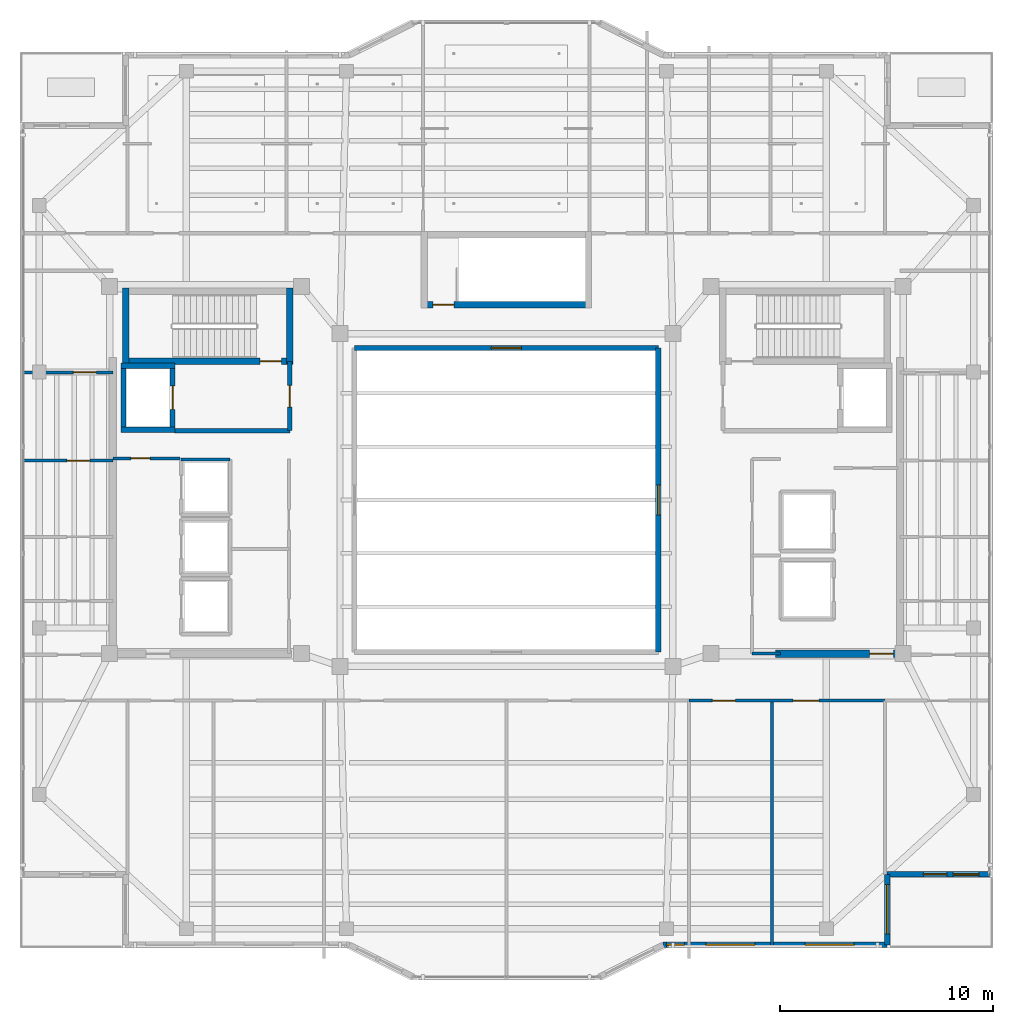
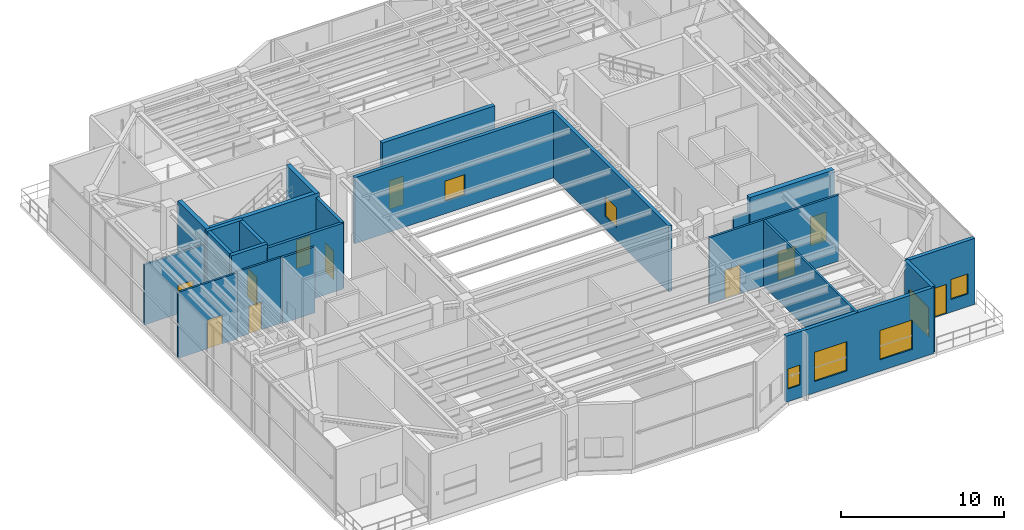
# One storey, part 15 of 23: 23 walls, 11 doors, 7 windows, 18 openings.
"""IFC4 building model written with IfcOpenShell, lengths in metres."""

from ifc_helpers import new_model, si_unit, direction, frame, frame_2d, origin, place, context, subcontext, project, spatial, rectangle, extrude, material, layer, layer_set, type_object, element, fill, save


model = new_model("IFC4")

# Units and contexts
model_context = context("Model", 3, precision=1e-05, world=origin(), true_north=direction((0.0, 1.0)))
body_context = subcontext(model_context, "Body", "Model", "MODEL_VIEW")
ifc_project = project(units=[si_unit("LENGTHUNIT", "METRE"), si_unit("AREAUNIT", "SQUARE_METRE"), si_unit("VOLUMEUNIT", "CUBIC_METRE"), si_unit("PLANEANGLEUNIT", "RADIAN"), si_unit("MASSUNIT", "GRAM", prefix="KILO")], contexts=[model_context])

# Site, building, storey
site_placement = place(None, origin())
site = spatial("IfcSite", under=ifc_project, at=site_placement, CompositionType="ELEMENT")
building_placement = place(site_placement, origin())
building = spatial("IfcBuilding", under=site, at=building_placement, Name="Tarnavaz Court Tower", CompositionType="ELEMENT")
storey_placement = place(building_placement, frame((0.0, 0.0, 276.300048828125)))
storey = spatial("IfcBuildingStorey", under=building, at=storey_placement, Name="L75", CompositionType="ELEMENT", Elevation=276.300048828125)

# Wall
ifc_material_1 = material(Name="Concrete C50/60", Category="concrete")
ifc_layer_1 = layer(ifc_material_1, 0.25)
ifc_layer_set_1 = layer_set([ifc_layer_1], Name="Concrete C50/60")
wall_type_1 = type_object("IfcWallType", Name="WL-CORE-250-C50", PredefinedType="SHEAR", material=ifc_layer_set_1)
wall_1_placement = place(storey_placement, frame((-17.949951171875, 3.175048828125, 0.0), z_axis=(0.0, 0.0, 1.0), x_axis=(0.0, 1.0, 0.0)))
element("IfcWall", 1, at=wall_1_placement, inside=storey, type_object=wall_type_1, Name="L75 Lift FL-W1 Shaft Wall 017", PredefinedType="SHEAR", context=body_context, shape_type="SweptSolid", body=[
    extrude(rectangle(XDim=3.25, YDim=0.25, at=frame_2d((1.625, 0.0))), origin(), (0.0, 0.0, 1.0), 5.25),
])

# Wall, opening, door
wall_2_placement = place(storey_placement, frame((-15.64990234375, 3.175048828125, 0.0), z_axis=(0.0, 0.0, 1.0), x_axis=(0.0, 1.0, 0.0)))
wall_2 = element("IfcWall", 2, at=wall_2_placement, inside=storey, type_object=wall_type_1, Name="L75 Lift FL-W1 Shaft Wall 018", PredefinedType="SHEAR", context=body_context, shape_type="SweptSolid", body=[
    extrude(rectangle(XDim=3.25, YDim=0.25, at=frame_2d((1.625, 0.0))), origin(), (0.0, 0.0, 1.0), 5.25),
])
opening_1_placement = place(wall_2_placement, frame((1.074951171875, 0.0, 0.0)))
opening_1 = element("IfcOpeningElement", 3, at=opening_1_placement, cuts=wall_2, Name="Opening LD1", PredefinedType="OPENING", context=body_context, shape_type="SweptSolid", body=[
    extrude(rectangle(XDim=1.10009765625, YDim=2.14990234375, at=frame_2d((0.550048828125, 1.074951171875))), frame((0.0, 0.135009765625, 0.0), z_axis=(0.0, -1.0, 0.0), x_axis=(1.0, 0.0, 0.0)), (0.0, 0.0, 1.0), 0.27001953125),
])
ifc_material_2 = material(Name="Stainless Steel", Category="steel")
door_type_1 = type_object("IfcDoorType", Name="DR-LD-1100", OperationType="NOTDEFINED", PredefinedType="DOOR", material=ifc_material_2)
door_1_placement = place(opening_1_placement, origin())
door_1 = element("IfcDoor", 4, at=door_1_placement, inside=storey, type_object=door_type_1, Name="L75 Lift Landing Door LD-FL-W1", OperationType="SLIDING_TO_LEFT", OverallHeight=2.14990234375, OverallWidth=1.10009765625, PredefinedType="DOOR", context=body_context, shape_type="SweptSolid", body=[
    extrude(rectangle(XDim=1.10009765625, YDim=2.14990234375, at=frame_2d((0.550048828125, 1.074951171875))), frame((0.0, 0.02490234375, 0.0), z_axis=(0.0, -1.0, 0.0), x_axis=(1.0, 0.0, 0.0)), (0.0, 0.0, 1.0), 0.050048828125),
])
fill(opening_1, door_1)

# Walls
for number, where, z_axis, x_axis, name in (
    (5, (-18.074951171875, 3.300048828125, 0.0), (0.0, 0.0, 1.0), (1.0, 0.0, 0.0), "L75 Lift FL-W1 Shaft Wall 019"),
    (6, (-18.074951171875, 6.300048828125, 0.0), (0.0, 0.0, 1.0), (1.0, 0.0, 0.0), "L75 Lift FL-W1 Shaft Wall 020"),
):
    element("IfcWall", number, at=place(storey_placement, frame(where, z_axis=z_axis, x_axis=x_axis)), inside=storey, type_object=wall_type_1, Name=name, PredefinedType="SHEAR", context=body_context, shape_type="SweptSolid", body=[
        extrude(rectangle(XDim=2.550048828125, YDim=0.25, at=frame_2d((1.27490234375, 0.0))), origin(), (0.0, 0.0, 1.0), 5.25),
    ])

# Wall, opening, door
ifc_layer_2 = layer(ifc_material_1, 0.300048828125)
ifc_layer_set_2 = layer_set([ifc_layer_2], Name="Concrete C50/60")
wall_type_2 = type_object("IfcWallType", Name="WL-CORE-300-C50", PredefinedType="SHEAR", material=ifc_layer_set_2)
wall_3_placement = place(storey_placement, frame((-18.0, 6.5, 0.0), z_axis=(0.0, 0.0, 1.0), x_axis=(1.0, 0.0, 0.0)))
wall_3 = element("IfcWall", 7, at=wall_3_placement, inside=storey, type_object=wall_type_2, Name="L75 West Stair Core Wall 002", PredefinedType="SHEAR", context=body_context, shape_type="SweptSolid", body=[
    extrude(rectangle(XDim=8.0, YDim=0.300048828125, at=frame_2d((4.0, 0.0))), origin(), (0.0, 0.0, 1.0), 5.25),
])
opening_2_placement = place(wall_3_placement, frame((6.449951171875, 0.0, 0.0)))
opening_2 = element("IfcOpeningElement", 8, at=opening_2_placement, cuts=wall_3, Name="Opening D01", PredefinedType="OPENING", context=body_context, shape_type="SweptSolid", body=[
    extrude(rectangle(XDim=1.0, YDim=2.14990234375, at=frame_2d((0.5, 1.074951171875))), frame((0.0, 0.159912109375, 0.0), z_axis=(0.0, -1.0, 0.0), x_axis=(1.0, 0.0, 0.0)), (0.0, 0.0, 1.0), 0.320068359375),
])
ifc_material_3 = material(Name="Fire-Rated Hardwood Timber Core", Category="wood")
door_type_2 = type_object("IfcDoorType", Name="DR-FD90-1000", OperationType="NOTDEFINED", PredefinedType="DOOR", material=ifc_material_3)
door_2_placement = place(opening_2_placement, origin())
door_2 = element("IfcDoor", 9, at=door_2_placement, inside=storey, type_object=door_type_2, Name="L75 Stair ST-W1 Exit Door", OperationType="SINGLE_SWING_LEFT", OverallHeight=2.14990234375, OverallWidth=1.0, PredefinedType="DOOR", context=body_context, shape_type="SweptSolid", body=[
    extrude(rectangle(XDim=1.0, YDim=2.14990234375, at=frame_2d((0.5, 1.074951171875))), frame((0.0, 0.02490234375, 0.0), z_axis=(0.0, -1.0, 0.0), x_axis=(1.0, 0.0, 0.0)), (0.0, 0.0, 1.0), 0.050048828125),
])
fill(opening_2, door_2)

# Walls
for number, where, z_axis, x_axis, name in (
    (10, (-17.85009765625, 6.35009765625, 0.0), (0.0, 0.0, 1.0), (0.0, 1.0, 0.0), "L75 West Stair Core Wall 003"),
    (11, (-10.14990234375, 6.35009765625, 0.0), (0.0, 0.0, 1.0), (0.0, 1.0, 0.0), "L75 West Stair Core Wall 004"),
):
    element("IfcWall", number, at=place(storey_placement, frame(where, z_axis=z_axis, x_axis=x_axis)), inside=storey, type_object=wall_type_2, Name=name, PredefinedType="SHEAR", context=body_context, shape_type="SweptSolid", body=[
        extrude(rectangle(XDim=3.58984375, YDim=0.300048828125, at=frame_2d((1.794921875, 0.0))), origin(), (0.0, 0.0, 1.0), 5.25),
    ])

# Wall, opening, door
wall_4_placement = place(storey_placement, frame((-4.0, 9.14990234375, 0.0), z_axis=(0.0, 0.0, 1.0), x_axis=(1.0, 0.0, 0.0)))
wall_4 = element("IfcWall", 12, at=wall_4_placement, inside=storey, type_object=wall_type_2, Name="L75 North Stair Core Wall 010", PredefinedType="SHEAR", context=body_context, shape_type="SweptSolid", body=[
    extrude(rectangle(XDim=8.0, YDim=0.300048828125, at=frame_2d((4.0, 0.0))), origin(), (0.0, 0.0, 1.0), 5.25),
])
opening_3_placement = place(wall_4_placement, frame((0.550048828125, 0.0, 0.0)))
opening_3 = element("IfcOpeningElement", 13, at=opening_3_placement, cuts=wall_4, Name="Opening D01", PredefinedType="OPENING", context=body_context, shape_type="SweptSolid", body=[
    extrude(rectangle(XDim=1.0, YDim=2.14990234375, at=frame_2d((0.5, 1.074951171875))), frame((0.0, 0.159912109375, 0.0), z_axis=(0.0, -1.0, 0.0), x_axis=(1.0, 0.0, 0.0)), (0.0, 0.0, 1.0), 0.320068359375),
])
door_3_placement = place(opening_3_placement, origin())
door_3 = element("IfcDoor", 14, at=door_3_placement, inside=storey, type_object=door_type_2, Name="L75 Stair ST-N1 Exit Door", OperationType="SINGLE_SWING_LEFT", OverallHeight=2.14990234375, OverallWidth=1.0, PredefinedType="DOOR", context=body_context, shape_type="SweptSolid", body=[
    extrude(rectangle(XDim=1.0, YDim=2.14990234375, at=frame_2d((0.5, 1.074951171875))), frame((0.0, 0.02490234375, 0.0), z_axis=(0.0, -1.0, 0.0), x_axis=(1.0, 0.0, 0.0)), (0.0, 0.0, 1.0), 0.050048828125),
])
fill(opening_3, door_3)

ifc_layer_3 = layer(ifc_material_1, 0.35009765625)
ifc_layer_set_3 = layer_set([ifc_layer_3], Name="Concrete C50/60")
wall_type_3 = type_object("IfcWallType", Name="WL-CORE-350-C50", PredefinedType="SHEAR", material=ifc_layer_set_3)
wall_5_placement = place(storey_placement, frame((12.625, -7.199951171875, 0.0), z_axis=(0.0, 0.0, 1.0), x_axis=(1.0, 0.0, 0.0)))
wall_5 = element("IfcWall", 15, at=wall_5_placement, inside=storey, type_object=wall_type_3, Name="L75 East Core South Shear Wall 048", PredefinedType="SHEAR", context=body_context, shape_type="SweptSolid", body=[
    extrude(rectangle(XDim=6.0, YDim=0.35009765625, at=frame_2d((3.0, 0.0))), origin(), (0.0, 0.0, 1.0), 5.25),
])
opening_4_placement = place(wall_5_placement, frame((4.39990234375, 0.0, 0.0)))
opening_4 = element("IfcOpeningElement", 16, at=opening_4_placement, cuts=wall_5, Name="Opening D04", PredefinedType="OPENING", context=body_context, shape_type="SweptSolid", body=[
    extrude(rectangle(XDim=1.1201171875, YDim=2.14990234375, at=frame_2d((0.56005859375, 1.074951171875))), frame((0.0, 0.18505859375, 0.0), z_axis=(0.0, -1.0, 0.0), x_axis=(1.0, 0.0, 0.0)), (0.0, 0.0, 1.0), 0.3701171875),
])
door_type_3 = type_object("IfcDoorType", Name="DR-FD60-1100", OperationType="NOTDEFINED", PredefinedType="DOOR", material=ifc_material_3)
door_4_placement = place(opening_4_placement, origin())
door_4 = element("IfcDoor", 17, at=door_4_placement, inside=storey, type_object=door_type_3, Name="L75 East Express Lift Lobby Door", OperationType="SINGLE_SWING_LEFT", OverallHeight=2.14990234375, OverallWidth=1.1201171875, PredefinedType="DOOR", context=body_context, shape_type="SweptSolid", body=[
    extrude(rectangle(XDim=1.1201171875, YDim=2.14990234375, at=frame_2d((0.56005859375, 1.074951171875))), frame((0.0, 0.02490234375, 0.0), z_axis=(0.0, -1.0, 0.0), x_axis=(1.0, 0.0, 0.0)), (0.0, 0.0, 1.0), 0.050048828125),
])
fill(opening_4, door_4)

# Wall, openings, door, window
ifc_material_4 = material(Name="Precast Concrete C40/50", Category="concrete")
ifc_layer_4 = layer(ifc_material_4, 0.260009765625)
ifc_layer_set_4 = layer_set([ifc_layer_4], Name="Precast Concrete C40/50")
wall_type_4 = type_object("IfcWallType", Name="WL-EXT-260", PredefinedType="SOLIDWALL", material=ifc_layer_set_4)
wall_6_placement = place(storey_placement, frame((22.64990234375, -17.550048828125, 0.0), z_axis=(0.0, 0.0, 1.0), x_axis=(-1.0, 0.0, 0.0)))
wall_6 = element("IfcWall", 18, at=wall_6_placement, inside=storey, type_object=wall_type_4, Name="L75 Exterior Terracotta Facade Wall 13", PredefinedType="SOLIDWALL", context=body_context, shape_type="SweptSolid", body=[
    extrude(rectangle(XDim=4.7998046875, YDim=0.260009765625, at=frame_2d((2.39990234375, 0.0))), origin(), (0.0, 0.0, 1.0), 4.949951171875),
])
opening_5_placement = place(wall_6_placement, frame((2.0, 0.0, 0.0)))
opening_5 = element("IfcOpeningElement", 19, at=opening_5_placement, cuts=wall_6, Name="Opening TD1", PredefinedType="OPENING", context=body_context, shape_type="SweptSolid", body=[
    extrude(rectangle(XDim=1.10009765625, YDim=2.199951171875, at=frame_2d((0.550048828125, 1.10009765625))), frame((0.0, 0.139892578125, 0.0), z_axis=(0.0, -1.0, 0.0), x_axis=(1.0, 0.0, 0.0)), (0.0, 0.0, 1.0), 0.280029296875),
])
opening_6_placement = place(wall_6_placement, frame((0.50537109375, 0.0, 0.949951171875)))
opening_6 = element("IfcOpeningElement", 20, at=opening_6_placement, cuts=wall_6, Name="Opening W05", PredefinedType="OPENING", context=body_context, shape_type="SweptSolid", body=[
    extrude(rectangle(XDim=1.199951171875, YDim=1.5, at=frame_2d((0.60009765625, 0.75))), frame((0.0, 0.139892578125, 0.0), z_axis=(0.0, -1.0, 0.0), x_axis=(1.0, 0.0, 0.0)), (0.0, 0.0, 1.0), 0.280029296875),
])
ifc_material_5 = material(Name="Thermally Broken Aluminium and Laminated Glass", Category="aluminium")
door_type_4 = type_object("IfcDoorType", Name="DR-TERR-1100", OperationType="NOTDEFINED", PredefinedType="DOOR", material=ifc_material_5)
door_5_placement = place(opening_5_placement, origin())
door_5 = element("IfcDoor", 21, at=door_5_placement, inside=storey, type_object=door_type_4, Name="L75 Sky Terrace Access Door 3", OperationType="SINGLE_SWING_LEFT", OverallHeight=2.199951171875, OverallWidth=1.10009765625, PredefinedType="DOOR", context=body_context, shape_type="SweptSolid", body=[
    extrude(rectangle(XDim=1.10009765625, YDim=2.199951171875, at=frame_2d((0.550048828125, 1.10009765625))), frame((0.0, 0.02490234375, 0.0), z_axis=(0.0, -1.0, 0.0), x_axis=(1.0, 0.0, 0.0)), (0.0, 0.0, 1.0), 0.050048828125),
])
fill(opening_5, door_5)
ifc_material_6 = material(Name="Double-Glazed Solar Low-E Glass", Category="glass")
window_type_1 = type_object("IfcWindowType", Name="WN-APT-1200", PartitioningType="SINGLE_PANEL", PredefinedType="WINDOW", material=ifc_material_6)
window_1_placement = place(opening_6_placement, origin())
window_1 = element("IfcWindow", 22, at=window_1_placement, inside=storey, type_object=window_type_1, Name="L75 L75 SE Terrace Salon Window", OverallHeight=1.5, OverallWidth=1.199951171875, PartitioningType="SINGLE_PANEL", PredefinedType="WINDOW", context=body_context, shape_type="SweptSolid", body=[
    extrude(rectangle(XDim=1.199951171875, YDim=1.5, at=frame_2d((0.60009765625, 0.75))), frame((0.0, 0.030029296875, 0.0), z_axis=(0.0, -1.0, 0.0), x_axis=(1.0, 0.0, 0.0)), (0.0, 0.0, 1.0), 0.06005859375),
])
fill(opening_6, window_1)

# Wall, opening, window
wall_7_placement = place(storey_placement, frame((17.85009765625, -17.550048828125, 0.0), z_axis=(0.0, 0.0, 1.0), x_axis=(0.0, -1.0, 0.0)))
wall_7 = element("IfcWall", 23, at=wall_7_placement, inside=storey, type_object=wall_type_4, Name="L75 Exterior Terracotta Facade Wall 14", PredefinedType="SOLIDWALL", context=body_context, shape_type="SweptSolid", body=[
    extrude(rectangle(XDim=3.300048828125, YDim=0.260009765625, at=frame_2d((1.64990234375, 0.0))), origin(), (0.0, 0.0, 1.0), 4.949951171875),
])
opening_7_placement = place(wall_7_placement, frame((0.482421875, 0.0, 0.85009765625)))
opening_7 = element("IfcOpeningElement", 24, at=opening_7_placement, cuts=wall_7, Name="Opening W12", PredefinedType="OPENING", context=body_context, shape_type="SweptSolid", body=[
    extrude(rectangle(XDim=2.300048828125, YDim=2.199951171875, at=frame_2d((1.14990234375, 1.10009765625))), frame((0.0, 0.139892578125, 0.0), z_axis=(0.0, -1.0, 0.0), x_axis=(1.0, 0.0, 0.0)), (0.0, 0.0, 1.0), 0.280029296875),
])
window_type_2 = type_object("IfcWindowType", Name="WN-COM-2300", PartitioningType="DOUBLE_PANEL_VERTICAL", PredefinedType="WINDOW", material=ifc_material_6)
window_2_placement = place(opening_7_placement, origin())
window_2 = element("IfcWindow", 25, at=window_2_placement, inside=storey, type_object=window_type_2, Name="L75 Observation Bookshop and Retail Window", OverallHeight=2.199951171875, OverallWidth=2.300048828125, PartitioningType="SINGLE_PANEL", PredefinedType="WINDOW", context=body_context, shape_type="SweptSolid", body=[
    extrude(rectangle(XDim=2.300048828125, YDim=2.199951171875, at=frame_2d((1.14990234375, 1.10009765625))), frame((0.0, 0.030029296875, 0.0), z_axis=(0.0, -1.0, 0.0), x_axis=(1.0, 0.0, 0.0)), (0.0, 0.0, 1.0), 0.06005859375),
])
fill(opening_7, window_2)

# Wall, openings, windows
wall_8_placement = place(storey_placement, frame((17.85009765625, -20.85009765625, 0.0), z_axis=(0.0, 0.0, 1.0), x_axis=(-1.0, 0.0, 0.0)))
wall_8 = element("IfcWall", 26, at=wall_8_placement, inside=storey, type_object=wall_type_4, Name="L75 Exterior Terracotta Facade Wall 15", PredefinedType="SOLIDWALL", context=body_context, shape_type="SweptSolid", body=[
    extrude(rectangle(XDim=10.5, YDim=0.260009765625, at=frame_2d((5.25, 0.0))), origin(), (0.0, 0.0, 1.0), 4.949951171875),
])
opening_8_placement = place(wall_8_placement, frame((1.550048828125, 0.0, 0.85009765625)))
opening_8 = element("IfcOpeningElement", 27, at=opening_8_placement, cuts=wall_8, Name="Opening W12", PredefinedType="OPENING", context=body_context, shape_type="SweptSolid", body=[
    extrude(rectangle(XDim=2.300048828125, YDim=2.199951171875, at=frame_2d((1.14990234375, 1.10009765625))), frame((0.0, 0.139892578125, 0.0), z_axis=(0.0, -1.0, 0.0), x_axis=(1.0, 0.0, 0.0)), (0.0, 0.0, 1.0), 0.280029296875),
])
opening_9_placement = place(wall_8_placement, frame((6.199951171875, 0.0, 0.85009765625)))
opening_9 = element("IfcOpeningElement", 28, at=opening_9_placement, cuts=wall_8, Name="Opening W12", PredefinedType="OPENING", context=body_context, shape_type="SweptSolid", body=[
    extrude(rectangle(XDim=2.300048828125, YDim=2.199951171875, at=frame_2d((1.14990234375, 1.10009765625))), frame((0.0, 0.139892578125, 0.0), z_axis=(0.0, -1.0, 0.0), x_axis=(1.0, 0.0, 0.0)), (0.0, 0.0, 1.0), 0.280029296875),
])
opening_10_placement = place(wall_8_placement, frame((9.5048828125, 0.0, 0.949951171875)))
opening_10 = element("IfcOpeningElement", 29, at=opening_10_placement, cuts=wall_8, Name="Opening W15", PredefinedType="OPENING", context=body_context, shape_type="SweptSolid", body=[
    extrude(rectangle(XDim=0.85009765625, YDim=1.5, at=frame_2d((0.425048828125, 0.75))), frame((0.0, 0.139892578125, 0.0), z_axis=(0.0, -1.0, 0.0), x_axis=(1.0, 0.0, 0.0)), (0.0, 0.0, 1.0), 0.280029296875),
])
window_type_3 = type_object("IfcWindowType", Name="WN-APT-850", PartitioningType="SINGLE_PANEL", PredefinedType="WINDOW", material=ifc_material_6)
window_3_placement = place(opening_10_placement, origin())
window_3 = element("IfcWindow", 30, at=window_3_placement, inside=storey, type_object=window_type_3, Name="L75 L75 South-East Music and Arts Studio Window", OverallHeight=1.5, OverallWidth=0.85009765625, PartitioningType="SINGLE_PANEL", PredefinedType="WINDOW", context=body_context, shape_type="SweptSolid", body=[
    extrude(rectangle(XDim=0.85009765625, YDim=1.5, at=frame_2d((0.425048828125, 0.75))), frame((0.0, 0.030029296875, 0.0), z_axis=(0.0, -1.0, 0.0), x_axis=(1.0, 0.0, 0.0)), (0.0, 0.0, 1.0), 0.06005859375),
])
fill(opening_10, window_3)
window_4_placement = place(opening_8_placement, origin())
window_4 = element("IfcWindow", 31, at=window_4_placement, inside=storey, type_object=window_type_2, Name="L75 Observation Bookshop and Retail Window", OverallHeight=2.199951171875, OverallWidth=2.300048828125, PartitioningType="SINGLE_PANEL", PredefinedType="WINDOW", context=body_context, shape_type="SweptSolid", body=[
    extrude(rectangle(XDim=2.300048828125, YDim=2.199951171875, at=frame_2d((1.14990234375, 1.10009765625))), frame((0.0, 0.030029296875, 0.0), z_axis=(0.0, -1.0, 0.0), x_axis=(1.0, 0.0, 0.0)), (0.0, 0.0, 1.0), 0.06005859375),
])
fill(opening_8, window_4)
window_5_placement = place(opening_9_placement, origin())
window_5 = element("IfcWindow", 32, at=window_5_placement, inside=storey, type_object=window_type_2, Name="L75 L75 Residents Counseling Office Window", OverallHeight=2.199951171875, OverallWidth=2.300048828125, PartitioningType="SINGLE_PANEL", PredefinedType="WINDOW", context=body_context, shape_type="SweptSolid", body=[
    extrude(rectangle(XDim=2.300048828125, YDim=2.199951171875, at=frame_2d((1.14990234375, 1.10009765625))), frame((0.0, 0.030029296875, 0.0), z_axis=(0.0, -1.0, 0.0), x_axis=(1.0, 0.0, 0.0)), (0.0, 0.0, 1.0), 0.06005859375),
])
fill(opening_9, window_5)

# Wall, openings, doors
ifc_material_7 = material(Name="Gypsum Fire-Board on Acoustic Metal Stud", Category="masonry")
ifc_layer_5 = layer(ifc_material_7, 0.14990234375)
ifc_layer_set_5 = layer_set([ifc_layer_5], Name="Gypsum Fire-Board on Acoustic Metal Stud")
wall_type_5 = type_object("IfcWallType", Name="WL-FIRE-150", PredefinedType="PARTITIONING", material=ifc_layer_set_5)
wall_9_placement = place(storey_placement, frame((8.550048828125, -9.39990234375, 0.0), z_axis=(0.0, 0.0, 1.0), x_axis=(1.0, 0.0, 0.0)))
wall_9 = element("IfcWall", 33, at=wall_9_placement, inside=storey, type_object=wall_type_5, Name="L75 SE Lobby Wall 060", PredefinedType="PARTITIONING", context=body_context, shape_type="SweptSolid", body=[
    extrude(rectangle(XDim=9.199951171875, YDim=0.14990234375, at=frame_2d((4.60009765625, 0.0))), origin(), (0.0, 0.0, 1.0), 4.949951171875),
])
opening_11_placement = place(wall_9_placement, frame((1.10009765625, 0.0, 0.0)))
opening_11 = element("IfcOpeningElement", 34, at=opening_11_placement, cuts=wall_9, Name="Opening D12", PredefinedType="OPENING", context=body_context, shape_type="SweptSolid", body=[
    extrude(rectangle(XDim=1.080078125, YDim=2.14990234375, at=frame_2d((0.5400390625, 1.074951171875))), frame((0.0, 0.0849609375, 0.0), z_axis=(0.0, -1.0, 0.0), x_axis=(1.0, 0.0, 0.0)), (0.0, 0.0, 1.0), 0.169921875),
])
opening_12_placement = place(wall_9_placement, frame((4.89306640625, 0.0, 0.0)))
opening_12 = element("IfcOpeningElement", 35, at=opening_12_placement, cuts=wall_9, Name="Opening D11", PredefinedType="OPENING", context=body_context, shape_type="SweptSolid", body=[
    extrude(rectangle(XDim=1.199951171875, YDim=2.14990234375, at=frame_2d((0.60009765625, 1.074951171875))), frame((0.0, 0.0849609375, 0.0), z_axis=(0.0, -1.0, 0.0), x_axis=(1.0, 0.0, 0.0)), (0.0, 0.0, 1.0), 0.169921875),
])
ifc_material_8 = material(Name="Engineered Oak Timber", Category="wood")
door_type_5 = type_object("IfcDoorType", Name="DR-INT-1100", OperationType="NOTDEFINED", PredefinedType="DOOR", material=ifc_material_8)
door_6_placement = place(opening_11_placement, origin())
door_6 = element("IfcDoor", 36, at=door_6_placement, inside=storey, type_object=door_type_5, Name="L75 Counseling Office Door", OperationType="SINGLE_SWING_RIGHT", OverallHeight=2.14990234375, OverallWidth=1.080078125, PredefinedType="DOOR", context=body_context, shape_type="SweptSolid", body=[
    extrude(rectangle(XDim=1.080078125, YDim=2.14990234375, at=frame_2d((0.5400390625, 1.074951171875))), frame((0.0, 0.02490234375, 0.0), z_axis=(0.0, -1.0, 0.0), x_axis=(1.0, 0.0, 0.0)), (0.0, 0.0, 1.0), 0.050048828125),
])
fill(opening_11, door_6)
door_type_6 = type_object("IfcDoorType", Name="DR-INT-1200", OperationType="NOTDEFINED", PredefinedType="DOOR", material=ifc_material_8)
door_7_placement = place(opening_12_placement, origin())
door_7 = element("IfcDoor", 37, at=door_7_placement, inside=storey, type_object=door_type_6, Name="L75 Observation Bookshop and Retail Door", OperationType="SINGLE_SWING_LEFT", OverallHeight=2.14990234375, OverallWidth=1.199951171875, PredefinedType="DOOR", context=body_context, shape_type="SweptSolid", body=[
    extrude(rectangle(XDim=1.199951171875, YDim=2.14990234375, at=frame_2d((0.60009765625, 1.074951171875))), frame((0.0, 0.02490234375, 0.0), z_axis=(0.0, -1.0, 0.0), x_axis=(1.0, 0.0, 0.0)), (0.0, 0.0, 1.0), 0.050048828125),
])
fill(opening_12, door_7)

# Wall
ifc_material_9 = material(Name="Autoclaved Aerated Concrete Blockwork", Category="masonry")
ifc_layer_6 = layer(ifc_material_9, 0.199951171875)
ifc_layer_set_6 = layer_set([ifc_layer_6], Name="Autoclaved Aerated Concrete Blockwork")
wall_type_6 = type_object("IfcWallType", Name="WL-FIRE-200", PredefinedType="SOLIDWALL", material=ifc_layer_set_6)
wall_10_placement = place(storey_placement, frame((-15.550048828125, 3.25, 0.0), z_axis=(0.0, 0.0, 1.0), x_axis=(1.0, 0.0, 0.0)))
element("IfcWall", 38, at=wall_10_placement, inside=storey, type_object=wall_type_6, Name="L75 West Firefighting Lobby Wall 013", PredefinedType="SOLIDWALL", context=body_context, shape_type="SweptSolid", body=[
    extrude(rectangle(XDim=5.400146484375, YDim=0.199951171875, at=frame_2d((2.7001953125, 0.0))), origin(), (0.0, 0.0, 1.0), 4.949951171875),
])

# Wall, opening, door
wall_11_placement = place(storey_placement, frame((-10.14990234375, 3.25, 0.0), z_axis=(0.0, 0.0, 1.0), x_axis=(0.0, 1.0, 0.0)))
wall_11 = element("IfcWall", 39, at=wall_11_placement, inside=storey, type_object=wall_type_6, Name="L75 West Firefighting Lobby Wall 014", PredefinedType="SOLIDWALL", context=body_context, shape_type="SweptSolid", body=[
    extrude(rectangle(XDim=3.25, YDim=0.199951171875, at=frame_2d((1.625, 0.0))), origin(), (0.0, 0.0, 1.0), 4.949951171875),
])
opening_13_placement = place(wall_11_placement, frame((1.10009765625, 0.0, 0.0)))
opening_13 = element("IfcOpeningElement", 40, at=opening_13_placement, cuts=wall_11, Name="Opening D05", PredefinedType="OPENING", context=body_context, shape_type="SweptSolid", body=[
    extrude(rectangle(XDim=1.02001953125, YDim=2.14990234375, at=frame_2d((0.510009765625, 1.074951171875))), frame((0.0, 0.10986328125, 0.0), z_axis=(0.0, -1.0, 0.0), x_axis=(1.0, 0.0, 0.0)), (0.0, 0.0, 1.0), 0.219970703125),
])
door_type_7 = type_object("IfcDoorType", Name="DR-FD60-1000", OperationType="NOTDEFINED", PredefinedType="DOOR", material=ifc_material_3)
door_8_placement = place(opening_13_placement, origin())
door_8 = element("IfcDoor", 41, at=door_8_placement, inside=storey, type_object=door_type_7, Name="L75 West Firefighting Lobby Door", OperationType="SINGLE_SWING_RIGHT", OverallHeight=2.14990234375, OverallWidth=1.02001953125, PredefinedType="DOOR", context=body_context, shape_type="SweptSolid", body=[
    extrude(rectangle(XDim=1.02001953125, YDim=2.14990234375, at=frame_2d((0.510009765625, 1.074951171875))), frame((0.0, 0.02490234375, 0.0), z_axis=(0.0, -1.0, 0.0), x_axis=(1.0, 0.0, 0.0)), (0.0, 0.0, 1.0), 0.050048828125),
])
fill(opening_13, door_8)

ifc_material_10 = material(Name="Gypsum Plasterboard Acoustic Partition", Category="masonry")
ifc_layer_7 = layer(ifc_material_10, 0.139892578125)
ifc_layer_set_7 = layer_set([ifc_layer_7], Name="Gypsum Plasterboard Acoustic Partition")
wall_type_7 = type_object("IfcWallType", Name="WL-PART-150", PredefinedType="PARTITIONING", material=ifc_layer_set_7)
wall_12_placement = place(storey_placement, frame((-18.449951171875, 1.949951171875, 0.0), z_axis=(0.0, 0.0, 1.0), x_axis=(1.0, 0.0, 0.0)))
wall_12 = element("IfcWall", 42, at=wall_12_placement, inside=storey, type_object=wall_type_7, Name="L75 Interior Partition 049", PredefinedType="PARTITIONING", context=body_context, shape_type="SweptSolid", body=[
    extrude(rectangle(XDim=3.14990234375, YDim=0.139892578125, at=frame_2d((1.574951171875, 0.0))), origin(), (0.0, 0.0, 1.0), 4.949951171875),
])
opening_14_placement = place(wall_12_placement, frame((0.85009765625, 0.0, 0.0)))
opening_14 = element("IfcOpeningElement", 43, at=opening_14_placement, cuts=wall_12, Name="Opening D09", PredefinedType="OPENING", context=body_context, shape_type="SweptSolid", body=[
    extrude(rectangle(XDim=0.89990234375, YDim=2.080078125, at=frame_2d((0.449951171875, 1.0400390625))), frame((0.0, 0.079833984375, 0.0), z_axis=(0.0, -1.0, 0.0), x_axis=(1.0, 0.0, 0.0)), (0.0, 0.0, 1.0), 0.159912109375),
])
door_type_8 = type_object("IfcDoorType", Name="DR-FD30-900", OperationType="NOTDEFINED", PredefinedType="DOOR", material=ifc_material_3)
door_9_placement = place(opening_14_placement, origin())
door_9 = element("IfcDoor", 44, at=door_9_placement, inside=storey, type_object=door_type_8, Name="L75 West Sky Store Door", OperationType="SINGLE_SWING_RIGHT", OverallHeight=2.080078125, OverallWidth=0.89990234375, PredefinedType="DOOR", context=body_context, shape_type="SweptSolid", body=[
    extrude(rectangle(XDim=0.89990234375, YDim=2.080078125, at=frame_2d((0.449951171875, 1.0400390625))), frame((0.0, 0.02490234375, 0.0), z_axis=(0.0, -1.0, 0.0), x_axis=(1.0, 0.0, 0.0)), (0.0, 0.0, 1.0), 0.050048828125),
])
fill(opening_14, door_9)

# Walls
wall_13_placement = place(storey_placement, frame((11.52001953125, -7.199951171875, 0.0), z_axis=(0.0, 0.0, 1.0), x_axis=(1.0, 0.0, 0.0)))
element("IfcWall", 45, at=wall_13_placement, inside=storey, type_object=wall_type_7, Name="L75 Interior Partition 055", PredefinedType="PARTITIONING", context=body_context, shape_type="SweptSolid", body=[
    extrude(rectangle(XDim=1.330078125, YDim=0.139892578125, at=frame_2d((0.6650390625, 0.0))), origin(), (0.0, 0.0, 1.0), 4.0849609375),
])
wall_14_placement = place(storey_placement, frame((12.443115234375, -20.89990234375, 0.0), z_axis=(0.0, 0.0, 1.0), x_axis=(0.0, 1.0, 0.0)))
element("IfcWall", 46, at=wall_14_placement, inside=storey, type_object=wall_type_7, Name="L75 Interior Partition 070", PredefinedType="PARTITIONING", context=body_context, shape_type="SweptSolid", body=[
    extrude(rectangle(XDim=11.5, YDim=0.139892578125, at=frame_2d((5.75, 0.0))), origin(), (0.0, 0.0, 1.0), 4.949951171875),
])

# Wall, opening, door
wall_15_placement = place(storey_placement, frame((-22.679931640625, 1.847900390625, 0.0), z_axis=(0.0, 0.0, 1.0), x_axis=(1.0, 0.0, 0.0)))
wall_15 = element("IfcWall", 47, at=wall_15_placement, inside=storey, type_object=wall_type_7, Name="L75 Interior Partition 087", PredefinedType="PARTITIONING", context=body_context, shape_type="SweptSolid", body=[
    extrude(rectangle(XDim=4.22998046875, YDim=0.139892578125, at=frame_2d((2.114990234375, 0.0))), origin(), (0.0, 0.0, 1.0), 4.949951171875),
])
opening_15_placement = place(wall_15_placement, frame((2.080078125, 0.0, 0.0)))
opening_15 = element("IfcOpeningElement", 48, at=opening_15_placement, cuts=wall_15, Name="Opening D12", PredefinedType="OPENING", context=body_context, shape_type="SweptSolid", body=[
    extrude(rectangle(XDim=1.080078125, YDim=2.14990234375, at=frame_2d((0.5400390625, 1.074951171875))), frame((0.0, 0.079833984375, 0.0), z_axis=(0.0, -1.0, 0.0), x_axis=(1.0, 0.0, 0.0)), (0.0, 0.0, 1.0), 0.159912109375),
])
door_10_placement = place(opening_15_placement, origin())
door_10 = element("IfcDoor", 49, at=door_10_placement, inside=storey, type_object=door_type_5, Name="L75 West Suite Room 4 Door", OperationType="SINGLE_SWING_LEFT", OverallHeight=2.14990234375, OverallWidth=1.080078125, PredefinedType="DOOR", context=body_context, shape_type="SweptSolid", body=[
    extrude(rectangle(XDim=1.080078125, YDim=2.14990234375, at=frame_2d((0.5400390625, 1.074951171875))), frame((0.0, 0.02490234375, 0.0), z_axis=(0.0, -1.0, 0.0), x_axis=(1.0, 0.0, 0.0)), (0.0, 0.0, 1.0), 0.050048828125),
])
fill(opening_15, door_10)

wall_16_placement = place(storey_placement, frame((-22.679931640625, 5.98291015625, 0.0), z_axis=(0.0, 0.0, 1.0), x_axis=(1.0, 0.0, 0.0)))
wall_16 = element("IfcWall", 50, at=wall_16_placement, inside=storey, type_object=wall_type_7, Name="L75 Interior Partition 088", PredefinedType="PARTITIONING", context=body_context, shape_type="SweptSolid", body=[
    extrude(rectangle(XDim=4.22998046875, YDim=0.139892578125, at=frame_2d((2.114990234375, 0.0))), origin(), (0.0, 0.0, 1.0), 4.534912109375),
])
opening_16_placement = place(wall_16_placement, frame((2.3798828125, 0.0, 0.0)))
opening_16 = element("IfcOpeningElement", 51, at=opening_16_placement, cuts=wall_16, Name="Opening D12", PredefinedType="OPENING", context=body_context, shape_type="SweptSolid", body=[
    extrude(rectangle(XDim=1.080078125, YDim=2.14990234375, at=frame_2d((0.5400390625, 1.074951171875))), frame((0.0, 0.079833984375, 0.0), z_axis=(0.0, -1.0, 0.0), x_axis=(1.0, 0.0, 0.0)), (0.0, 0.0, 1.0), 0.159912109375),
])
door_11_placement = place(opening_16_placement, origin())
door_11 = element("IfcDoor", 52, at=door_11_placement, inside=storey, type_object=door_type_5, Name="L75 West Suite Room 5 Door", OperationType="SINGLE_SWING_RIGHT", OverallHeight=2.14990234375, OverallWidth=1.080078125, PredefinedType="DOOR", context=body_context, shape_type="SweptSolid", body=[
    extrude(rectangle(XDim=1.080078125, YDim=2.14990234375, at=frame_2d((0.5400390625, 1.074951171875))), frame((0.0, 0.02490234375, 0.0), z_axis=(0.0, -1.0, 0.0), x_axis=(1.0, 0.0, 0.0)), (0.0, 0.0, 1.0), 0.050048828125),
])
fill(opening_16, door_11)

# Wall
ifc_layer_8 = layer(ifc_material_9, 0.159912109375)
ifc_layer_set_8 = layer_set([ifc_layer_8], Name="Autoclaved Aerated Concrete Blockwork")
wall_type_8 = type_object("IfcWallType", Name="WL-SHAFT-150", PredefinedType="SOLIDWALL", material=ifc_layer_set_8)
wall_17_placement = place(storey_placement, frame((-15.25, 1.89990234375, 0.0), z_axis=(0.0, 0.0, 1.0), x_axis=(1.0, 0.0, 0.0)))
element("IfcWall", 53, at=wall_17_placement, inside=storey, type_object=wall_type_8, Name="L75 Lift PL-H3 Shaft Wall 032", PredefinedType="SOLIDWALL", context=body_context, shape_type="SweptSolid", body=[
    extrude(rectangle(XDim=2.300048828125, YDim=0.159912109375, at=frame_2d((1.14990234375, 0.0))), origin(), (0.0, 0.0, 1.0), 4.949951171875),
])

# Wall, opening, window
ifc_layer_9 = layer(ifc_material_4, 0.239990234375)
ifc_layer_set_9 = layer_set([ifc_layer_9], Name="Precast Concrete C40/50")
wall_type_9 = type_object("IfcWallType", Name="WL-WELL-240", PredefinedType="SOLIDWALL", material=ifc_layer_set_9)
wall_18_placement = place(storey_placement, frame((7.1201171875, -7.1201171875, 0.0), z_axis=(0.0, 0.0, 1.0), x_axis=(0.0, 1.0, 0.0)))
wall_18 = element("IfcWall", 54, at=wall_18_placement, inside=storey, type_object=wall_type_9, Name="L75 Badgir Light-Well Exterior Wall E", PredefinedType="SOLIDWALL", context=body_context, shape_type="SweptSolid", body=[
    extrude(rectangle(XDim=14.240234375, YDim=0.239990234375, at=frame_2d((7.1201171875, 0.0))), origin(), (0.0, 0.0, 1.0), 4.949951171875),
])
opening_17_placement = place(wall_18_placement, frame((6.419921875, 0.0, 0.949951171875)))
opening_17 = element("IfcOpeningElement", 55, at=opening_17_placement, cuts=wall_18, Name="Opening W13", PredefinedType="OPENING", context=body_context, shape_type="SweptSolid", body=[
    extrude(rectangle(XDim=1.39990234375, YDim=1.5, at=frame_2d((0.699951171875, 0.75))), frame((0.0, 0.1298828125, 0.0), z_axis=(0.0, -1.0, 0.0), x_axis=(1.0, 0.0, 0.0)), (0.0, 0.0, 1.0), 0.260009765625),
])
window_type_4 = type_object("IfcWindowType", Name="WN-WEL-1400", PartitioningType="SINGLE_PANEL", PredefinedType="WINDOW", material=ifc_material_6)
window_6_placement = place(opening_17_placement, origin())
window_6 = element("IfcWindow", 56, at=window_6_placement, inside=storey, type_object=window_type_4, Name="L75 Courtyard Gallery Window E", OverallHeight=1.5, OverallWidth=1.39990234375, PartitioningType="SINGLE_PANEL", PredefinedType="WINDOW", context=body_context, shape_type="SweptSolid", body=[
    extrude(rectangle(XDim=1.39990234375, YDim=1.5, at=frame_2d((0.699951171875, 0.75))), frame((0.0, 0.030029296875, 0.0), z_axis=(0.0, -1.0, 0.0), x_axis=(1.0, 0.0, 0.0)), (0.0, 0.0, 1.0), 0.06005859375),
])
fill(opening_17, window_6)

wall_19_placement = place(storey_placement, frame((7.1201171875, 7.1201171875, 0.0), z_axis=(0.0, 0.0, 1.0), x_axis=(-1.0, 0.0, 0.0)))
wall_19 = element("IfcWall", 57, at=wall_19_placement, inside=storey, type_object=wall_type_9, Name="L75 Badgir Light-Well Exterior Wall N", PredefinedType="SOLIDWALL", context=body_context, shape_type="SweptSolid", body=[
    extrude(rectangle(XDim=14.240234375, YDim=0.239990234375, at=frame_2d((7.1201171875, 0.0))), origin(), (0.0, 0.0, 1.0), 4.949951171875),
])
opening_18_placement = place(wall_19_placement, frame((6.419921875, 0.0, 0.949951171875)))
opening_18 = element("IfcOpeningElement", 58, at=opening_18_placement, cuts=wall_19, Name="Opening W13", PredefinedType="OPENING", context=body_context, shape_type="SweptSolid", body=[
    extrude(rectangle(XDim=1.39990234375, YDim=1.5, at=frame_2d((0.699951171875, 0.75))), frame((0.0, 0.1298828125, 0.0), z_axis=(0.0, -1.0, 0.0), x_axis=(1.0, 0.0, 0.0)), (0.0, 0.0, 1.0), 0.260009765625),
])
window_7_placement = place(opening_18_placement, origin())
window_7 = element("IfcWindow", 59, at=window_7_placement, inside=storey, type_object=window_type_4, Name="L75 Courtyard Gallery Window N", OverallHeight=1.5, OverallWidth=1.39990234375, PartitioningType="SINGLE_PANEL", PredefinedType="WINDOW", context=body_context, shape_type="SweptSolid", body=[
    extrude(rectangle(XDim=1.39990234375, YDim=1.5, at=frame_2d((0.699951171875, 0.75))), frame((0.0, 0.030029296875, 0.0), z_axis=(0.0, -1.0, 0.0), x_axis=(1.0, 0.0, 0.0)), (0.0, 0.0, 1.0), 0.06005859375),
])
fill(opening_18, window_7)

save(model, "model.ifc")
